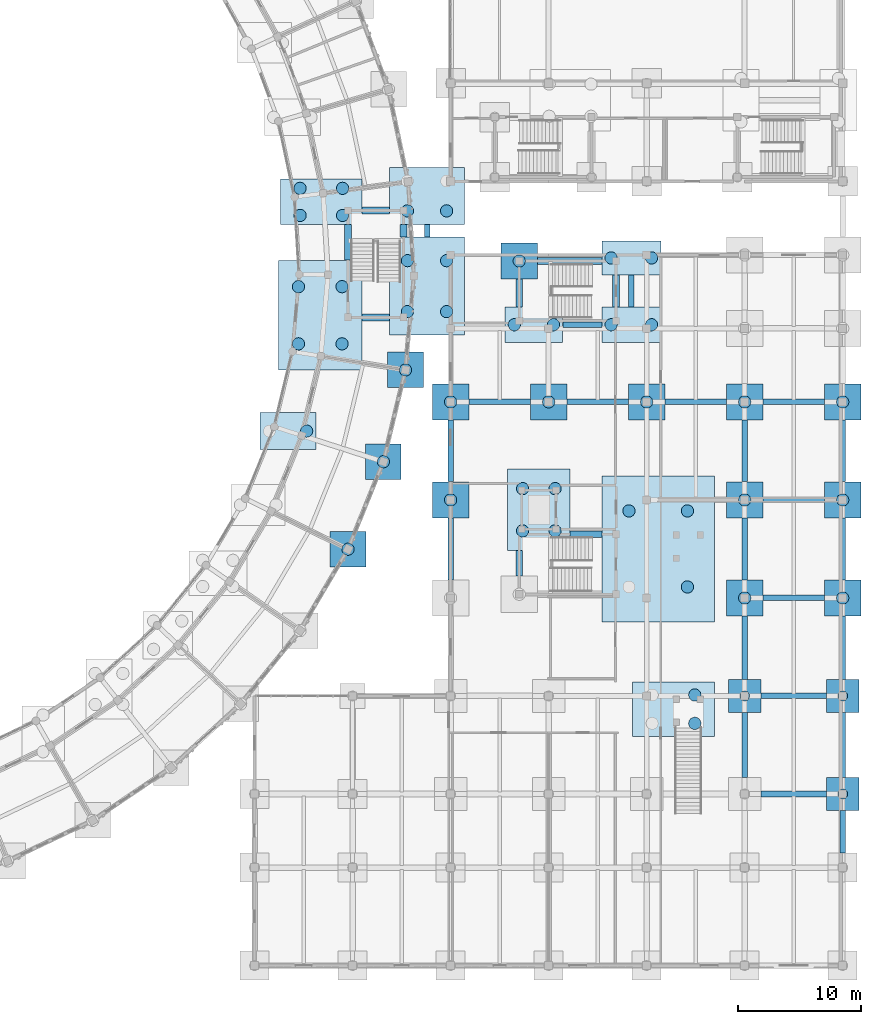
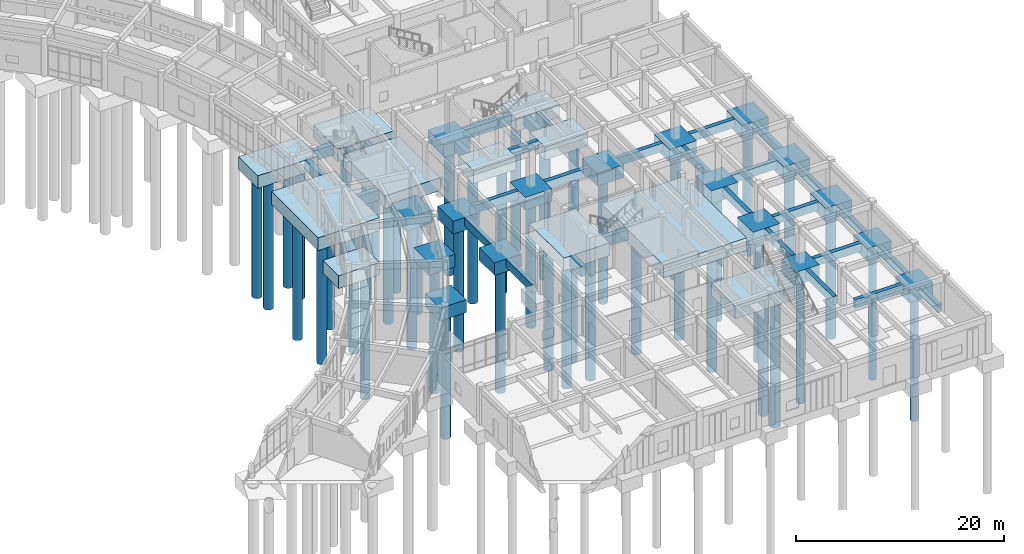
# One storey, part 5 of 153: 59 footings, 47 piles.
"""IFC4 building model written with IfcOpenShell, lengths in metres."""

from ifc_helpers import new_model, si_unit, direction, frame, origin, origin_2d, place, context, subcontext, project, spatial, polyline, rectangle, circle, outline, extrude, material, material_profile, profile_set, type_object, element, save


model = new_model("IFC4")

# Units and contexts
model_context = context("Model", 3, precision=1e-05, world=origin(), true_north=direction((0.0, 1.0)))
body_context = subcontext(model_context, "Body", "Model", "MODEL_VIEW")
ifc_project = project(units=[si_unit("LENGTHUNIT", "METRE"), si_unit("AREAUNIT", "SQUARE_METRE"), si_unit("VOLUMEUNIT", "CUBIC_METRE"), si_unit("PLANEANGLEUNIT", "RADIAN"), si_unit("MASSUNIT", "GRAM", prefix="KILO")], contexts=[model_context])

# Site, building, storey
site_placement = place(None, origin())
site = spatial("IfcSite", under=ifc_project, at=site_placement, CompositionType="ELEMENT")
building_placement = place(site_placement, origin())
building = spatial("IfcBuilding", under=site, at=building_placement, Name="Celadon Cloister-Ring School", CompositionType="ELEMENT")
storey_placement = place(building_placement, origin())
storey = spatial("IfcBuildingStorey", under=building, at=storey_placement, Name="L00", CompositionType="ELEMENT", Elevation=0.0)

# Footings
ifc_material_1 = material(Name="Concrete C40/50", Category="concrete")
footing_type_1 = type_object("IfcFootingType", Name="FC-01", PredefinedType="PILE_CAP", material=ifc_material_1)
footing_1_placement = place(storey_placement, frame((131.361083984375, 55.072998046875, -1.5), z_axis=(0.0, 0.0, 1.0), x_axis=(1.0, 0.0, 0.0)))
element("IfcFooting", 1, at=footing_1_placement, inside=storey, type_object=footing_type_1, Name="Pile Cap 001", PredefinedType="PILE_CAP", context=body_context, shape_type="SweptSolid", body=[
    extrude(rectangle(XDim=6.839111328125, YDim=8.972900390625, at=origin_2d()), origin(), (0.0, 0.0, 1.0), 1.5),
])
ifc_material_2 = material(Name="Concrete C40/50", Category="concrete")
footing_type_2 = type_object("IfcFootingType", Name="FC-02", PredefinedType="PILE_CAP", material=ifc_material_2)
footing_2_placement = place(storey_placement, frame((140.074951171875, 57.449951171875, -1.5), z_axis=(0.0, 0.0, 1.0), x_axis=(1.0, 0.0, 0.0)))
element("IfcFooting", 2, at=footing_2_placement, inside=storey, type_object=footing_type_2, Name="Pile Cap 002", PredefinedType="PILE_CAP", context=body_context, shape_type="SweptSolid", body=[
    extrude(rectangle(XDim=6.14990234375, YDim=7.9951171875, at=origin_2d()), origin(), (0.0, 0.0, 1.0), 1.5),
])
ifc_material_3 = material(Name="Concrete C40/50", Category="concrete")
footing_type_3 = type_object("IfcFootingType", Name="FC-03", PredefinedType="PILE_CAP", material=ifc_material_3)
footing_3_placement = place(storey_placement, frame((140.074951171875, 64.81005859375, -1.5), z_axis=(0.0, 0.0, 1.0), x_axis=(1.0, 0.0, 0.0)))
element("IfcFooting", 3, at=footing_3_placement, inside=storey, type_object=footing_type_3, Name="Pile Cap 003", PredefinedType="PILE_CAP", context=body_context, shape_type="SweptSolid", body=[
    extrude(rectangle(XDim=6.14990234375, YDim=4.679931640625, at=origin_2d()), origin(), (0.0, 0.0, 1.0), 1.5),
])
ifc_material_4 = material(Name="Concrete C40/50", Category="concrete")
footing_type_4 = type_object("IfcFootingType", Name="FC-04", PredefinedType="PILE_CAP", material=ifc_material_4)
footing_4_placement = place(storey_placement, frame((131.447021484375, 64.325927734375, -1.5), z_axis=(0.0, 0.0, 1.0), x_axis=(1.0, 0.0, 0.0)))
element("IfcFooting", 4, at=footing_4_placement, inside=storey, type_object=footing_type_4, Name="Pile Cap 004", PredefinedType="PILE_CAP", context=body_context, shape_type="SweptSolid", body=[
    extrude(rectangle(XDim=6.6650390625, YDim=3.7119140625, at=origin_2d()), origin(), (0.0, 0.0, 1.0), 1.5),
])
ifc_material_5 = material(Name="Concrete C40/50", Category="concrete")
footing_type_5 = type_object("IfcFootingType", Name="FC-05", PredefinedType="PILE_CAP", material=ifc_material_5)
for number, where, z_axis, x_axis, name in (
    (5, (133.625, 35.97705078125, -1.5), (0.0, 0.0, 1.0), (1.0, 0.0, 0.0), "Pile Cap 091"),
    (6, (136.514892578125, 43.117919921875, -1.5), (0.0, 0.0, 1.0), (1.0, 0.0, 0.0), "Pile Cap 092"),
    (7, (138.318115234375, 50.60693359375, -1.5), (0.0, 0.0, 1.0), (1.0, 0.0, 0.0), "Pile Cap 093"),
):
    element("IfcFooting", number, at=place(storey_placement, frame(where, z_axis=z_axis, x_axis=x_axis)), inside=storey, type_object=footing_type_5, Name=name, PredefinedType="PILE_CAP", context=body_context, shape_type="SweptSolid", body=[
        extrude(rectangle(XDim=2.89990234375, YDim=2.89990234375, at=origin_2d()), origin(), (0.0, 0.0, 1.0), 1.5),
    ])
ifc_material_6 = material(Name="Concrete C40/50", Category="concrete")
footing_type_6 = type_object("IfcFootingType", Name="FC-16", PredefinedType="PILE_CAP", material=ifc_material_6)
for number, where, z_axis, x_axis, name in (
    (8, (147.60009765625, 59.5, -1.5), (0.0, 0.0, 1.0), (1.0, 0.0, 0.0), "Pile Cap 029"),
    (9, (142.0, 40.0, -1.5), (0.0, 0.0, 1.0), (1.0, 0.0, 0.0), "Pile Cap 148"),
    (10, (142.0, 48.0, -1.5), (0.0, 0.0, 1.0), (1.0, 0.0, 0.0), "Pile Cap 149"),
    (11, (150.0, 48.0, -1.5), (0.0, 0.0, 1.0), (1.0, 0.0, 0.0), "Pile Cap 155"),
    (12, (158.0, 48.0, -1.5), (0.0, 0.0, 1.0), (1.0, 0.0, 0.0), "Pile Cap 159"),
    (13, (166.0, 32.0, -1.5), (0.0, 0.0, 1.0), (1.0, 0.0, 0.0), "Pile Cap 164"),
    (14, (166.0, 40.0, -1.5), (0.0, 0.0, 1.0), (1.0, 0.0, 0.0), "Pile Cap 165"),
    (15, (166.0, 48.0, -1.5), (0.0, 0.0, 1.0), (1.0, 0.0, 0.0), "Pile Cap 166"),
    (16, (174.0, 32.0, -1.5), (0.0, 0.0, 1.0), (1.0, 0.0, 0.0), "Pile Cap 173"),
    (17, (174.0, 40.0, -1.5), (0.0, 0.0, 1.0), (1.0, 0.0, 0.0), "Pile Cap 174"),
    (18, (174.0, 48.0, -1.5), (0.0, 0.0, 1.0), (1.0, 0.0, 0.0), "Pile Cap 175"),
):
    element("IfcFooting", number, at=place(storey_placement, frame(where, z_axis=z_axis, x_axis=x_axis)), inside=storey, type_object=footing_type_6, Name=name, PredefinedType="PILE_CAP", context=body_context, shape_type="SweptSolid", body=[
        extrude(rectangle(XDim=2.9599609375, YDim=2.9599609375, at=origin_2d()), origin(), (0.0, 0.0, 1.0), 1.5),
    ])
ifc_material_7 = material(Name="Concrete C40/50", Category="concrete")
footing_type_7 = type_object("IfcFootingType", Name="FC-17", PredefinedType="PILE_CAP", material=ifc_material_7)
footing_5_placement = place(storey_placement, frame((158.93994140625, 36.0, -1.5), z_axis=(0.0, 0.0, 1.0), x_axis=(1.0, 0.0, 0.0)))
element("IfcFooting", 19, at=footing_5_placement, inside=storey, type_object=footing_type_7, Name="Pile Cap 025", PredefinedType="PILE_CAP", context=body_context, shape_type="SweptSolid", body=[
    extrude(rectangle(XDim=9.179931640625, YDim=11.93408203125, at=origin_2d()), origin(), (0.0, 0.0, 1.0), 1.5),
])
ifc_material_8 = material(Name="Concrete C40/50", Category="concrete")
footing_type_8 = type_object("IfcFootingType", Name="FC-18", PredefinedType="PILE_CAP", material=ifc_material_8)
footing_6_placement = place(storey_placement, frame((148.800048828125, 54.300048828125, -1.5), z_axis=(0.0, 0.0, 1.0), x_axis=(1.0, 0.0, 0.0)))
element("IfcFooting", 20, at=footing_6_placement, inside=storey, type_object=footing_type_8, Name="Pile Cap 026", PredefinedType="PILE_CAP", context=body_context, shape_type="SweptSolid", body=[
    extrude(rectangle(XDim=4.699951171875, YDim=2.89990234375, at=origin_2d()), origin(), (0.0, 0.0, 1.0), 1.5),
])
ifc_material_9 = material(Name="Concrete C40/50", Category="concrete")
footing_type_9 = type_object("IfcFootingType", Name="FC-19", PredefinedType="PILE_CAP", material=ifc_material_9)
footing_7_placement = place(storey_placement, frame((156.75, 54.300048828125, -1.5), z_axis=(0.0, 0.0, 1.0), x_axis=(1.0, 0.0, 0.0)))
element("IfcFooting", 21, at=footing_7_placement, inside=storey, type_object=footing_type_9, Name="Pile Cap 027", PredefinedType="PILE_CAP", context=body_context, shape_type="SweptSolid", body=[
    extrude(rectangle(XDim=4.800048828125, YDim=2.89990234375, at=origin_2d()), origin(), (0.0, 0.0, 1.0), 1.5),
])
ifc_material_10 = material(Name="Concrete C40/50", Category="concrete")
footing_type_10 = type_object("IfcFootingType", Name="FC-20", PredefinedType="PILE_CAP", material=ifc_material_10)
footing_8_placement = place(storey_placement, frame((156.75, 59.75, -1.5), z_axis=(0.0, 0.0, 1.0), x_axis=(1.0, 0.0, 0.0)))
element("IfcFooting", 22, at=footing_8_placement, inside=storey, type_object=footing_type_10, Name="Pile Cap 028", PredefinedType="PILE_CAP", context=body_context, shape_type="SweptSolid", body=[
    extrude(rectangle(XDim=4.800048828125, YDim=2.800048828125, at=origin_2d()), origin(), (0.0, 0.0, 1.0), 1.5),
])
ifc_material_11 = material(Name="Concrete C40/50", Category="concrete")
footing_type_11 = type_object("IfcFootingType", Name="FC-25", PredefinedType="PILE_CAP", material=ifc_material_11)
footing_9_placement = place(storey_placement, frame((160.18994140625, 22.925048828125, -1.5), z_axis=(0.0, 0.0, 1.0), x_axis=(1.0, 0.0, 0.0)))
element("IfcFooting", 23, at=footing_9_placement, inside=storey, type_object=footing_type_11, Name="Pile Cap 040", PredefinedType="PILE_CAP", context=body_context, shape_type="SweptSolid", body=[
    extrude(rectangle(XDim=6.679931640625, YDim=4.449951171875, at=origin_2d()), origin(), (0.0, 0.0, 1.0), 1.5),
])
ifc_material_12 = material(Name="Concrete C40/50", Category="concrete")
footing_type_12 = type_object("IfcFootingType", Name="FC-27", PredefinedType="PILE_CAP", material=ifc_material_12)
footing_10_placement = place(storey_placement, frame((149.199951171875, 39.199951171875, -1.5), z_axis=(0.0, 0.0, 1.0), x_axis=(1.0, 0.0, 0.0)))
element("IfcFooting", 24, at=footing_10_placement, inside=storey, type_object=footing_type_12, Name="Pile Cap 042", PredefinedType="PILE_CAP", context=body_context, shape_type="SweptSolid", body=[
    extrude(rectangle(XDim=5.10009765625, YDim=6.6298828125, at=origin_2d()), origin(), (0.0, 0.0, 1.0), 1.5),
])
ifc_material_13 = material(Name="Concrete C40/50", Category="concrete")
footing_type_13 = type_object("IfcFootingType", Name="FC-34", PredefinedType="PILE_CAP", material=ifc_material_13)
footing_11_placement = place(storey_placement, frame((128.73095703125, 45.614013671875, -1.5), z_axis=(0.0, 0.0, 1.0), x_axis=(1.0, 0.0, 0.0)))
element("IfcFooting", 25, at=footing_11_placement, inside=storey, type_object=footing_type_13, Name="Pile Cap 064", PredefinedType="PILE_CAP", context=body_context, shape_type="SweptSolid", body=[
    extrude(rectangle(XDim=4.5380859375, YDim=3.01708984375, at=origin_2d()), origin(), (0.0, 0.0, 1.0), 1.5),
])
ifc_material_14 = material(Name="Concrete C40/50", Category="concrete")
footing_type_14 = type_object("IfcFootingType", Name="FC-46", PredefinedType="PILE_CAP", material=ifc_material_14)
for number, where, z_axis, x_axis, name in (
    (26, (166.0, 24.0, -1.5), (0.0, 0.0, 1.0), (1.0, 0.0, 0.0), "Pile Cap 163"),
    (27, (174.0, 16.0, -1.5), (0.0, 0.0, 1.0), (1.0, 0.0, 0.0), "Pile Cap 170"),
    (28, (174.0, 24.0, -1.5), (0.0, 0.0, 1.0), (1.0, 0.0, 0.0), "Pile Cap 172"),
):
    element("IfcFooting", number, at=place(storey_placement, frame(where, z_axis=z_axis, x_axis=x_axis)), inside=storey, type_object=footing_type_14, Name=name, PredefinedType="PILE_CAP", context=body_context, shape_type="SweptSolid", body=[
        extrude(rectangle(XDim=2.659912109375, YDim=2.659912109375, at=origin_2d()), origin(), (0.0, 0.0, 1.0), 1.5),
    ])

# Piles
ifc_material_15 = material(Name="Concrete C35/45", Category="concrete")
ifc_material_profile_1 = material_profile(ifc_material_15, circle(Radius=0.39990234375, at=origin_2d()), Name="PILE800")
ifc_profile_set_1 = profile_set([ifc_material_profile_1], Name="Concrete C35/45")
pile_type_1 = type_object("IfcPileType", Name="PL-01", PredefinedType="BORED", material=ifc_profile_set_1)
for number, where, z_axis, x_axis, name in (
    (29, (166.0, 24.0, -1.39990234375), (0.0, 0.0, -1.0), (1.0, 0.0, 0.0), "Bored Pile 0300"),
    (30, (174.0, 16.0, -1.39990234375), (0.0, 0.0, -1.0), (1.0, 0.0, 0.0), "Bored Pile 0307"),
    (31, (174.0, 24.0, -1.39990234375), (0.0, 0.0, -1.0), (1.0, 0.0, 0.0), "Bored Pile 0309"),
):
    element("IfcPile", number, at=place(storey_placement, frame(where, z_axis=z_axis, x_axis=x_axis)), inside=storey, type_object=pile_type_1, Name=name, PredefinedType="BORED", context=body_context, shape_type="SweptSolid", body=[
        extrude(circle(Radius=0.39990234375, at=origin_2d()), origin(), (0.0, 0.0, 1.0), 15.0),
    ])
ifc_material_16 = material(Name="Concrete C35/45", Category="concrete")
ifc_material_profile_2 = material_profile(ifc_material_16, circle(Radius=0.5, at=origin_2d()), Name="PILE1000")
ifc_profile_set_2 = profile_set([ifc_material_profile_2], Name="Concrete C35/45")
pile_type_2 = type_object("IfcPileType", Name="PL-02", PredefinedType="BORED", material=ifc_profile_set_2)
for number, where, z_axis, x_axis, name in (
    (32, (129.5830078125, 52.739990234375, -1.39990234375), (0.0, 0.0, -1.0), (1.0, 0.0, 0.0), "Bored Pile 0001"),
    (33, (133.138916015625, 52.739990234375, -1.39990234375), (0.0, 0.0, -1.0), (1.0, 0.0, 0.0), "Bored Pile 0002"),
    (34, (133.138916015625, 57.406005859375, -1.39990234375), (0.0, 0.0, -1.0), (1.0, 0.0, 0.0), "Bored Pile 0003"),
    (35, (129.5830078125, 57.406005859375, -1.39990234375), (0.0, 0.0, -1.0), (1.0, 0.0, 0.0), "Bored Pile 0004"),
    (36, (138.47607421875, 55.37109375, -1.39990234375), (0.0, 0.0, -1.0), (1.0, 0.0, 0.0), "Bored Pile 0005"),
    (37, (141.674072265625, 55.37109375, -1.39990234375), (0.0, 0.0, -1.0), (1.0, 0.0, 0.0), "Bored Pile 0006"),
    (38, (141.674072265625, 59.529052734375, -1.39990234375), (0.0, 0.0, -1.0), (1.0, 0.0, 0.0), "Bored Pile 0007"),
    (39, (138.47607421875, 59.529052734375, -1.39990234375), (0.0, 0.0, -1.0), (1.0, 0.0, 0.0), "Bored Pile 0008"),
    (40, (138.47607421875, 63.593017578125, -1.39990234375), (0.0, 0.0, -1.0), (1.0, 0.0, 0.0), "Bored Pile 0009"),
    (41, (141.674072265625, 63.593017578125, -1.39990234375), (0.0, 0.0, -1.0), (1.0, 0.0, 0.0), "Bored Pile 0010"),
    (42, (129.714111328125, 63.219970703125, -1.39990234375), (0.0, 0.0, -1.0), (1.0, 0.0, 0.0), "Bored Pile 0013"),
    (43, (133.179931640625, 63.219970703125, -1.39990234375), (0.0, 0.0, -1.0), (1.0, 0.0, 0.0), "Bored Pile 0014"),
    (44, (133.179931640625, 65.431884765625, -1.39990234375), (0.0, 0.0, -1.0), (1.0, 0.0, 0.0), "Bored Pile 0015"),
    (45, (129.714111328125, 65.431884765625, -1.39990234375), (0.0, 0.0, -1.0), (1.0, 0.0, 0.0), "Bored Pile 0016"),
    (46, (161.326904296875, 32.89697265625, -1.39990234375), (0.0, 0.0, -1.0), (1.0, 0.0, 0.0), "Bored Pile 0074"),
    (47, (161.326904296875, 39.10302734375, -1.39990234375), (0.0, 0.0, -1.0), (1.0, 0.0, 0.0), "Bored Pile 0075"),
    (48, (156.552978515625, 39.10302734375, -1.39990234375), (0.0, 0.0, -1.0), (1.0, 0.0, 0.0), "Bored Pile 0076"),
    (49, (147.199951171875, 54.300048828125, -1.39990234375), (0.0, 0.0, -1.0), (1.0, 0.0, 0.0), "Bored Pile 0077"),
    (50, (150.39990234375, 54.300048828125, -1.39990234375), (0.0, 0.0, -1.0), (1.0, 0.0, 0.0), "Bored Pile 0078"),
    (51, (155.10009765625, 54.300048828125, -1.39990234375), (0.0, 0.0, -1.0), (1.0, 0.0, 0.0), "Bored Pile 0079"),
    (52, (158.39990234375, 54.300048828125, -1.39990234375), (0.0, 0.0, -1.0), (1.0, 0.0, 0.0), "Bored Pile 0080"),
    (53, (155.10009765625, 59.75, -1.39990234375), (0.0, 0.0, -1.0), (1.0, 0.0, 0.0), "Bored Pile 0081"),
    (54, (158.39990234375, 59.75, -1.39990234375), (0.0, 0.0, -1.0), (1.0, 0.0, 0.0), "Bored Pile 0082"),
    (55, (147.60009765625, 59.5, -1.39990234375), (0.0, 0.0, -1.0), (1.0, 0.0, 0.0), "Bored Pile 0083"),
    (56, (161.927001953125, 21.76806640625, -1.39990234375), (0.0, 0.0, -1.0), (1.0, 0.0, 0.0), "Bored Pile 0117"),
    (57, (161.927001953125, 24.08203125, -1.39990234375), (0.0, 0.0, -1.0), (1.0, 0.0, 0.0), "Bored Pile 0118"),
    (58, (147.8740234375, 37.47607421875, -1.39990234375), (0.0, 0.0, -1.0), (1.0, 0.0, 0.0), "Bored Pile 0124"),
    (59, (150.52587890625, 37.47607421875, -1.39990234375), (0.0, 0.0, -1.0), (1.0, 0.0, 0.0), "Bored Pile 0125"),
    (60, (150.52587890625, 40.924072265625, -1.39990234375), (0.0, 0.0, -1.0), (1.0, 0.0, 0.0), "Bored Pile 0126"),
    (61, (147.8740234375, 40.924072265625, -1.39990234375), (0.0, 0.0, -1.0), (1.0, 0.0, 0.0), "Bored Pile 0127"),
    (62, (130.25, 45.614013671875, -1.39990234375), (0.0, 0.0, -1.0), (1.0, 0.0, 0.0), "Bored Pile 0189"),
    (63, (133.625, 35.97705078125, -1.39990234375), (0.0, 0.0, -1.0), (1.0, 0.0, 0.0), "Bored Pile 0229"),
    (64, (136.514892578125, 43.117919921875, -1.39990234375), (0.0, 0.0, -1.0), (1.0, 0.0, 0.0), "Bored Pile 0230"),
    (65, (138.318115234375, 50.60693359375, -1.39990234375), (0.0, 0.0, -1.0), (1.0, 0.0, 0.0), "Bored Pile 0231"),
    (66, (142.0, 40.0, -1.39990234375), (0.0, 0.0, -1.0), (1.0, 0.0, 0.0), "Bored Pile 0286"),
    (67, (142.0, 48.0, -1.39990234375), (0.0, 0.0, -1.0), (1.0, 0.0, 0.0), "Bored Pile 0287"),
    (68, (150.0, 48.0, -1.39990234375), (0.0, 0.0, -1.0), (1.0, 0.0, 0.0), "Bored Pile 0292"),
    (69, (158.0, 48.0, -1.39990234375), (0.0, 0.0, -1.0), (1.0, 0.0, 0.0), "Bored Pile 0296"),
    (70, (166.0, 32.0, -1.39990234375), (0.0, 0.0, -1.0), (1.0, 0.0, 0.0), "Bored Pile 0301"),
    (71, (166.0, 40.0, -1.39990234375), (0.0, 0.0, -1.0), (1.0, 0.0, 0.0), "Bored Pile 0302"),
    (72, (166.0, 48.0, -1.39990234375), (0.0, 0.0, -1.0), (1.0, 0.0, 0.0), "Bored Pile 0303"),
    (73, (174.0, 32.0, -1.39990234375), (0.0, 0.0, -1.0), (1.0, 0.0, 0.0), "Bored Pile 0310"),
    (74, (174.0, 40.0, -1.39990234375), (0.0, 0.0, -1.0), (1.0, 0.0, 0.0), "Bored Pile 0311"),
    (75, (174.0, 48.0, -1.39990234375), (0.0, 0.0, -1.0), (1.0, 0.0, 0.0), "Bored Pile 0312"),
):
    element("IfcPile", number, at=place(storey_placement, frame(where, z_axis=z_axis, x_axis=x_axis)), inside=storey, type_object=pile_type_2, Name=name, PredefinedType="BORED", context=body_context, shape_type="SweptSolid", body=[
        extrude(circle(Radius=0.5, at=origin_2d()), origin(), (0.0, 0.0, 1.0), 15.0),
    ])

# Footings
ifc_material_17 = material(Name="Concrete C40/50", Category="concrete")
footing_type_15 = type_object("IfcFootingType", Name="SF-01", PredefinedType="STRIP_FOOTING", material=ifc_material_17)
footing_12_placement = place(storey_placement, frame((0.0, 0.0, -0.949951171875)))
element("IfcFooting", 76, at=footing_12_placement, inside=storey, type_object=footing_type_15, Name="Seismic Tie Strip 0001", PredefinedType="STRIP_FOOTING", context=body_context, shape_type="SweptSolid", body=[
    extrude(outline(polyline([(140.300048828125, 61.452880859375), (140.300048828125, 62.465087890625), (139.85009765625, 62.465087890625), (139.85009765625, 61.452880859375), (140.300048828125, 61.452880859375)])), origin(), (0.0, 0.0, 1.0), 0.949951171875),
])
footing_13_placement = place(storey_placement, frame((0.0, 0.0, -0.949951171875)))
element("IfcFooting", 77, at=footing_13_placement, inside=storey, type_object=footing_type_15, Name="Seismic Tie Strip 0005", PredefinedType="STRIP_FOOTING", context=body_context, shape_type="SweptSolid", body=[
    extrude(outline(polyline([(151.155029296875, 54.074951171875), (154.344970703125, 54.074951171875), (154.344970703125, 54.52490234375), (151.155029296875, 54.52490234375), (151.155029296875, 54.074951171875)])), origin(), (0.0, 0.0, 1.0), 0.949951171875),
])
footing_14_placement = place(storey_placement, frame((0.0, 0.0, -0.949951171875)))
element("IfcFooting", 78, at=footing_14_placement, inside=storey, type_object=footing_type_15, Name="Seismic Tie Strip 0006", PredefinedType="STRIP_FOOTING", context=body_context, shape_type="SweptSolid", body=[
    extrude(outline(polyline([(156.97509765625, 55.7548828125), (156.97509765625, 58.344970703125), (156.52490234375, 58.344970703125), (156.52490234375, 55.7548828125), (156.97509765625, 55.7548828125)])), origin(), (0.0, 0.0, 1.0), 0.949951171875),
])
footing_15_placement = place(storey_placement, frame((0.0, 0.0, -0.949951171875)))
element("IfcFooting", 79, at=footing_15_placement, inside=storey, type_object=footing_type_15, Name="Seismic Tie Strip 0059", PredefinedType="STRIP_FOOTING", context=body_context, shape_type="SweptSolid", body=[
    extrude(outline(polyline([(142.22509765625, 33.485107421875), (142.22509765625, 38.514892578125), (141.77490234375, 38.514892578125), (141.77490234375, 33.485107421875), (142.22509765625, 33.485107421875)])), origin(), (0.0, 0.0, 1.0), 0.949951171875),
])
footing_16_placement = place(storey_placement, frame((0.0, 0.0, -0.949951171875)))
element("IfcFooting", 80, at=footing_16_placement, inside=storey, type_object=footing_type_15, Name="Seismic Tie Strip 0060", PredefinedType="STRIP_FOOTING", context=body_context, shape_type="SweptSolid", body=[
    extrude(outline(polyline([(142.22509765625, 41.485107421875), (142.22509765625, 46.514892578125), (141.77490234375, 46.514892578125), (141.77490234375, 41.485107421875), (142.22509765625, 41.485107421875)])), origin(), (0.0, 0.0, 1.0), 0.949951171875),
])
footing_17_placement = place(storey_placement, frame((0.0, 0.0, -0.949951171875)))
element("IfcFooting", 81, at=footing_17_placement, inside=storey, type_object=footing_type_15, Name="Seismic Tie Strip 0061", PredefinedType="STRIP_FOOTING", context=body_context, shape_type="SweptSolid", body=[
    extrude(outline(polyline([(143.485107421875, 47.77490234375), (148.514892578125, 47.77490234375), (148.514892578125, 48.22509765625), (143.485107421875, 48.22509765625), (143.485107421875, 47.77490234375)])), origin(), (0.0, 0.0, 1.0), 0.949951171875),
])
footing_18_placement = place(storey_placement, frame((0.0, 0.0, -0.949951171875)))
element("IfcFooting", 82, at=footing_18_placement, inside=storey, type_object=footing_type_15, Name="Seismic Tie Strip 0068", PredefinedType="STRIP_FOOTING", context=body_context, shape_type="SweptSolid", body=[
    extrude(outline(polyline([(151.485107421875, 47.77490234375), (156.514892578125, 47.77490234375), (156.514892578125, 48.22509765625), (151.485107421875, 48.22509765625), (151.485107421875, 47.77490234375)])), origin(), (0.0, 0.0, 1.0), 0.949951171875),
])
footing_19_placement = place(storey_placement, frame((0.0, 0.0, -0.949951171875)))
element("IfcFooting", 83, at=footing_19_placement, inside=storey, type_object=footing_type_15, Name="Seismic Tie Strip 0074", PredefinedType="STRIP_FOOTING", context=body_context, shape_type="SweptSolid", body=[
    extrude(outline(polyline([(159.485107421875, 47.77490234375), (164.514892578125, 47.77490234375), (164.514892578125, 48.22509765625), (159.485107421875, 48.22509765625), (159.485107421875, 47.77490234375)])), origin(), (0.0, 0.0, 1.0), 0.949951171875),
])
footing_20_placement = place(storey_placement, frame((0.0, 0.0, -0.949951171875)))
element("IfcFooting", 84, at=footing_20_placement, inside=storey, type_object=footing_type_15, Name="Seismic Tie Strip 0078", PredefinedType="STRIP_FOOTING", context=body_context, shape_type="SweptSolid", body=[
    extrude(outline(polyline([(166.22509765625, 17.3349609375), (166.22509765625, 22.6650390625), (165.77490234375, 22.6650390625), (165.77490234375, 17.3349609375), (166.22509765625, 17.3349609375)])), origin(), (0.0, 0.0, 1.0), 0.949951171875),
])
footing_21_placement = place(storey_placement, frame((0.0, 0.0, -0.949951171875)))
element("IfcFooting", 85, at=footing_21_placement, inside=storey, type_object=footing_type_15, Name="Seismic Tie Strip 0079", PredefinedType="STRIP_FOOTING", context=body_context, shape_type="SweptSolid", body=[
    extrude(outline(polyline([(167.3349609375, 15.77490234375), (172.6650390625, 15.77490234375), (172.6650390625, 16.22509765625), (167.3349609375, 16.22509765625), (167.3349609375, 15.77490234375)])), origin(), (0.0, 0.0, 1.0), 0.949951171875),
])
footing_22_placement = place(storey_placement, frame((0.0, 0.0, -0.949951171875)))
element("IfcFooting", 86, at=footing_22_placement, inside=storey, type_object=footing_type_15, Name="Seismic Tie Strip 0081", PredefinedType="STRIP_FOOTING", context=body_context, shape_type="SweptSolid", body=[
    extrude(outline(polyline([(166.22509765625, 25.3349609375), (166.22509765625, 30.514892578125), (165.77490234375, 30.514892578125), (165.77490234375, 25.3349609375), (166.22509765625, 25.3349609375)])), origin(), (0.0, 0.0, 1.0), 0.949951171875),
])
footing_23_placement = place(storey_placement, frame((0.0, 0.0, -0.949951171875)))
element("IfcFooting", 87, at=footing_23_placement, inside=storey, type_object=footing_type_15, Name="Seismic Tie Strip 0082", PredefinedType="STRIP_FOOTING", context=body_context, shape_type="SweptSolid", body=[
    extrude(outline(polyline([(167.3349609375, 23.77490234375), (172.6650390625, 23.77490234375), (172.6650390625, 24.22509765625), (167.3349609375, 24.22509765625), (167.3349609375, 23.77490234375)])), origin(), (0.0, 0.0, 1.0), 0.949951171875),
])
footing_24_placement = place(storey_placement, frame((0.0, 0.0, -0.949951171875)))
element("IfcFooting", 88, at=footing_24_placement, inside=storey, type_object=footing_type_15, Name="Seismic Tie Strip 0083", PredefinedType="STRIP_FOOTING", context=body_context, shape_type="SweptSolid", body=[
    extrude(outline(polyline([(166.22509765625, 33.485107421875), (166.22509765625, 38.514892578125), (165.77490234375, 38.514892578125), (165.77490234375, 33.485107421875), (166.22509765625, 33.485107421875)])), origin(), (0.0, 0.0, 1.0), 0.949951171875),
])
footing_25_placement = place(storey_placement, frame((0.0, 0.0, -0.949951171875)))
element("IfcFooting", 89, at=footing_25_placement, inside=storey, type_object=footing_type_15, Name="Seismic Tie Strip 0084", PredefinedType="STRIP_FOOTING", context=body_context, shape_type="SweptSolid", body=[
    extrude(outline(polyline([(167.485107421875, 31.77490234375), (172.514892578125, 31.77490234375), (172.514892578125, 32.22509765625), (167.485107421875, 32.22509765625), (167.485107421875, 31.77490234375)])), origin(), (0.0, 0.0, 1.0), 0.949951171875),
])
footing_26_placement = place(storey_placement, frame((0.0, 0.0, -0.949951171875)))
element("IfcFooting", 90, at=footing_26_placement, inside=storey, type_object=footing_type_15, Name="Seismic Tie Strip 0085", PredefinedType="STRIP_FOOTING", context=body_context, shape_type="SweptSolid", body=[
    extrude(outline(polyline([(166.22509765625, 41.485107421875), (166.22509765625, 46.514892578125), (165.77490234375, 46.514892578125), (165.77490234375, 41.485107421875), (166.22509765625, 41.485107421875)])), origin(), (0.0, 0.0, 1.0), 0.949951171875),
])
footing_27_placement = place(storey_placement, frame((0.0, 0.0, -0.949951171875)))
element("IfcFooting", 91, at=footing_27_placement, inside=storey, type_object=footing_type_15, Name="Seismic Tie Strip 0086", PredefinedType="STRIP_FOOTING", context=body_context, shape_type="SweptSolid", body=[
    extrude(outline(polyline([(167.485107421875, 39.77490234375), (172.514892578125, 39.77490234375), (172.514892578125, 40.22509765625), (167.485107421875, 40.22509765625), (167.485107421875, 39.77490234375)])), origin(), (0.0, 0.0, 1.0), 0.949951171875),
])
footing_28_placement = place(storey_placement, frame((0.0, 0.0, -0.949951171875)))
element("IfcFooting", 92, at=footing_28_placement, inside=storey, type_object=footing_type_15, Name="Seismic Tie Strip 0088", PredefinedType="STRIP_FOOTING", context=body_context, shape_type="SweptSolid", body=[
    extrude(outline(polyline([(167.485107421875, 47.77490234375), (172.514892578125, 47.77490234375), (172.514892578125, 48.22509765625), (167.485107421875, 48.22509765625), (167.485107421875, 47.77490234375)])), origin(), (0.0, 0.0, 1.0), 0.949951171875),
])
footing_29_placement = place(storey_placement, frame((0.0, 0.0, -0.949951171875)))
element("IfcFooting", 93, at=footing_29_placement, inside=storey, type_object=footing_type_15, Name="Seismic Tie Strip 0092", PredefinedType="STRIP_FOOTING", context=body_context, shape_type="SweptSolid", body=[
    extrude(outline(polyline([(174.22509765625, 11.18505859375), (174.22509765625, 14.6650390625), (173.77490234375, 14.6650390625), (173.77490234375, 11.18505859375), (174.22509765625, 11.18505859375)])), origin(), (0.0, 0.0, 1.0), 0.949951171875),
])
footing_30_placement = place(storey_placement, frame((0.0, 0.0, -0.949951171875)))
element("IfcFooting", 94, at=footing_30_placement, inside=storey, type_object=footing_type_15, Name="Seismic Tie Strip 0094", PredefinedType="STRIP_FOOTING", context=body_context, shape_type="SweptSolid", body=[
    extrude(outline(polyline([(174.22509765625, 17.3349609375), (174.22509765625, 22.6650390625), (173.77490234375, 22.6650390625), (173.77490234375, 17.3349609375), (174.22509765625, 17.3349609375)])), origin(), (0.0, 0.0, 1.0), 0.949951171875),
])
footing_31_placement = place(storey_placement, frame((0.0, 0.0, -0.949951171875)))
element("IfcFooting", 95, at=footing_31_placement, inside=storey, type_object=footing_type_15, Name="Seismic Tie Strip 0095", PredefinedType="STRIP_FOOTING", context=body_context, shape_type="SweptSolid", body=[
    extrude(outline(polyline([(174.22509765625, 25.3349609375), (174.22509765625, 30.514892578125), (173.77490234375, 30.514892578125), (173.77490234375, 25.3349609375), (174.22509765625, 25.3349609375)])), origin(), (0.0, 0.0, 1.0), 0.949951171875),
])
footing_32_placement = place(storey_placement, frame((0.0, 0.0, -0.949951171875)))
element("IfcFooting", 96, at=footing_32_placement, inside=storey, type_object=footing_type_15, Name="Seismic Tie Strip 0096", PredefinedType="STRIP_FOOTING", context=body_context, shape_type="SweptSolid", body=[
    extrude(outline(polyline([(174.22509765625, 33.485107421875), (174.22509765625, 38.514892578125), (173.77490234375, 38.514892578125), (173.77490234375, 33.485107421875), (174.22509765625, 33.485107421875)])), origin(), (0.0, 0.0, 1.0), 0.949951171875),
])
footing_33_placement = place(storey_placement, frame((0.0, 0.0, -0.949951171875)))
element("IfcFooting", 97, at=footing_33_placement, inside=storey, type_object=footing_type_15, Name="Seismic Tie Strip 0097", PredefinedType="STRIP_FOOTING", context=body_context, shape_type="SweptSolid", body=[
    extrude(outline(polyline([(174.22509765625, 41.485107421875), (174.22509765625, 46.514892578125), (173.77490234375, 46.514892578125), (173.77490234375, 41.485107421875), (174.22509765625, 41.485107421875)])), origin(), (0.0, 0.0, 1.0), 0.949951171875),
])
ifc_material_18 = material(Name="Concrete C40/50", Category="concrete")
footing_type_16 = type_object("IfcFootingType", Name="SF-02", PredefinedType="STRIP_FOOTING", material=ifc_material_18)
footing_34_placement = place(storey_placement, frame((0.0, 0.0, -1.199951171875)))
element("IfcFooting", 98, at=footing_34_placement, inside=storey, type_object=footing_type_16, Name="Seismic Tie Strip 0162", PredefinedType="STRIP_FOOTING", context=body_context, shape_type="SweptSolid", body=[
    extrude(outline(polyline([(154.344970703125, 37.47509765625), (151.7548828125, 37.47509765625), (151.7548828125, 36.925048828125), (154.344970703125, 36.925048828125), (154.344970703125, 37.47509765625)])), origin(), (0.0, 0.0, 1.0), 1.199951171875),
])
footing_35_placement = place(storey_placement, frame((0.0, 0.0, -1.199951171875)))
element("IfcFooting", 99, at=footing_35_placement, inside=storey, type_object=footing_type_16, Name="Seismic Tie Strip 0163", PredefinedType="STRIP_FOOTING", context=body_context, shape_type="SweptSolid", body=[
    extrude(outline(polyline([(147.324951171875, 35.8798828125), (147.324951171875, 33.784912109375), (147.875, 33.784912109375), (147.875, 35.8798828125), (147.324951171875, 35.8798828125)])), origin(), (0.0, 0.0, 1.0), 1.199951171875),
])
footing_36_placement = place(storey_placement, frame((0.0, 0.0, -1.199951171875)))
element("IfcFooting", 100, at=footing_36_placement, inside=storey, type_object=footing_type_16, Name="Seismic Tie Strip 0164", PredefinedType="STRIP_FOOTING", context=body_context, shape_type="SweptSolid", body=[
    extrude(outline(polyline([(155.77490234375, 55.7548828125), (155.77490234375, 58.344970703125), (155.22509765625, 58.344970703125), (155.22509765625, 55.7548828125), (155.77490234375, 55.7548828125)])), origin(), (0.0, 0.0, 1.0), 1.199951171875),
])
footing_37_placement = place(storey_placement, frame((0.0, 0.0, -1.199951171875)))
element("IfcFooting", 101, at=footing_37_placement, inside=storey, type_object=footing_type_16, Name="Seismic Tie Strip 0165", PredefinedType="STRIP_FOOTING", context=body_context, shape_type="SweptSolid", body=[
    extrude(outline(polyline([(154.344970703125, 59.77490234375), (149.0849609375, 59.77490234375), (149.0849609375, 59.22509765625), (154.344970703125, 59.22509765625), (154.344970703125, 59.77490234375)])), origin(), (0.0, 0.0, 1.0), 1.199951171875),
])
footing_38_placement = place(storey_placement, frame((0.0, 0.0, -1.199951171875)))
element("IfcFooting", 102, at=footing_38_placement, inside=storey, type_object=footing_type_16, Name="Seismic Tie Strip 0166", PredefinedType="STRIP_FOOTING", context=body_context, shape_type="SweptSolid", body=[
    extrude(outline(polyline([(147.324951171875, 58.014892578125), (147.324951171875, 55.7548828125), (147.875, 55.7548828125), (147.875, 58.014892578125), (147.324951171875, 58.014892578125)])), origin(), (0.0, 0.0, 1.0), 1.199951171875),
])
footing_39_placement = place(storey_placement, frame((0.0, 0.0, -1.199951171875)))
element("IfcFooting", 103, at=footing_39_placement, inside=storey, type_object=footing_type_16, Name="Seismic Tie Strip 0174", PredefinedType="STRIP_FOOTING", context=body_context, shape_type="SweptSolid", body=[
    extrude(outline(polyline([(134.784912109375, 54.625), (136.9951171875, 54.625), (136.9951171875, 55.175048828125), (134.784912109375, 55.175048828125), (134.784912109375, 54.625)])), origin(), (0.0, 0.0, 1.0), 1.199951171875),
])
footing_40_placement = place(storey_placement, frame((0.0, 0.0, -1.199951171875)))
element("IfcFooting", 104, at=footing_40_placement, inside=storey, type_object=footing_type_16, Name="Seismic Tie Strip 0175", PredefinedType="STRIP_FOOTING", context=body_context, shape_type="SweptSolid", body=[
    extrude(outline(polyline([(138.425048828125, 61.452880859375), (138.425048828125, 62.465087890625), (137.875, 62.465087890625), (137.875, 61.452880859375), (138.425048828125, 61.452880859375)])), origin(), (0.0, 0.0, 1.0), 1.199951171875),
])
footing_41_placement = place(storey_placement, frame((0.0, 0.0, -1.199951171875)))
element("IfcFooting", 105, at=footing_41_placement, inside=storey, type_object=footing_type_16, Name="Seismic Tie Strip 0176", PredefinedType="STRIP_FOOTING", context=body_context, shape_type="SweptSolid", body=[
    extrude(outline(polyline([(136.9951171875, 63.89501953125), (134.784912109375, 63.89501953125), (134.784912109375, 63.344970703125), (136.9951171875, 63.344970703125), (136.9951171875, 63.89501953125)])), origin(), (0.0, 0.0, 1.0), 1.199951171875),
])
footing_42_placement = place(storey_placement, frame((0.0, 0.0, -1.199951171875)))
element("IfcFooting", 106, at=footing_42_placement, inside=storey, type_object=footing_type_16, Name="Seismic Tie Strip 0177", PredefinedType="STRIP_FOOTING", context=body_context, shape_type="SweptSolid", body=[
    extrude(outline(polyline([(133.35498046875, 62.465087890625), (133.35498046875, 59.56396484375), (133.905029296875, 59.56396484375), (133.905029296875, 62.465087890625), (133.35498046875, 62.465087890625)])), origin(), (0.0, 0.0, 1.0), 1.199951171875),
])

save(model, "model.ifc")
